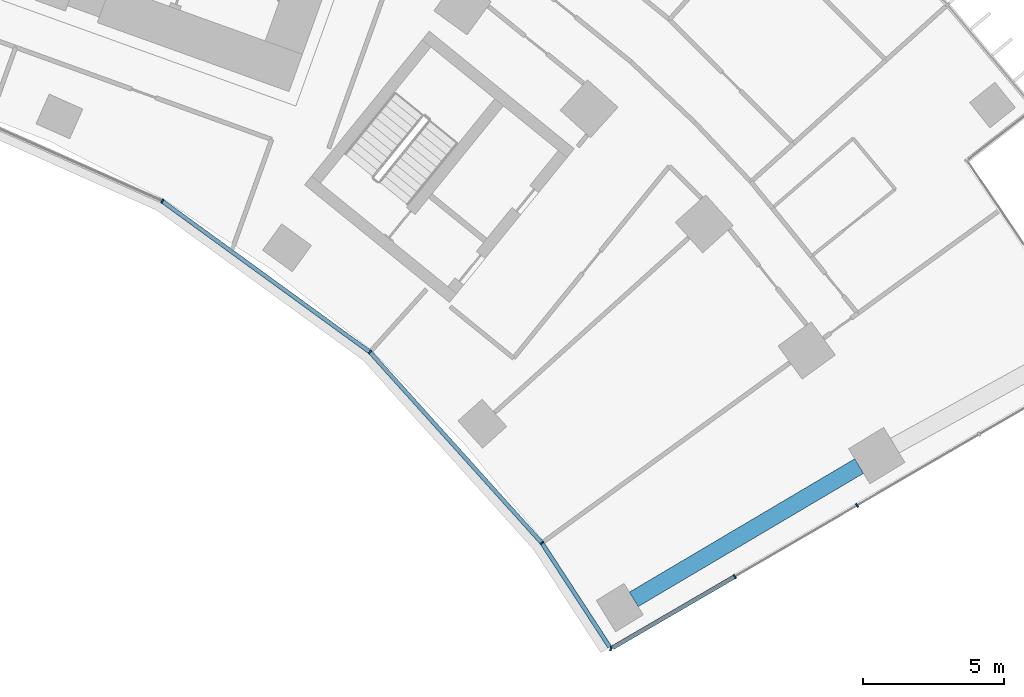
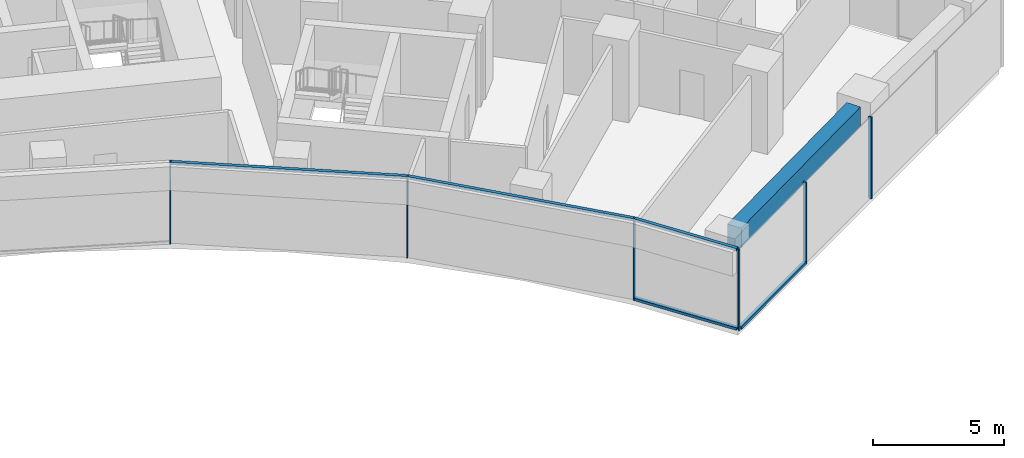
# One storey, part 8 of 22: 11 members, 1 beam, 2 elements without a shape of their own.
"""IFC4 building model written with IfcOpenShell, lengths in metres."""

from ifc_helpers import new_model, si_unit, direction, frame, origin, origin_2d, place, context, subcontext, project, spatial, rectangle, extrude, material, layer, layer_set, material_profile, profile_set, type_object, element, aggregate, save


model = new_model("IFC4")

# Units and contexts
model_context = context("Model", 3, precision=1e-05, world=origin(), true_north=direction((0.0, 1.0)))
body_context = subcontext(model_context, "Body", "Model", "MODEL_VIEW")
ifc_project = project(units=[si_unit("LENGTHUNIT", "METRE"), si_unit("AREAUNIT", "SQUARE_METRE"), si_unit("VOLUMEUNIT", "CUBIC_METRE"), si_unit("PLANEANGLEUNIT", "RADIAN"), si_unit("MASSUNIT", "GRAM", prefix="KILO")], contexts=[model_context])

# Site, building, storey
site_placement = place(None, origin())
site = spatial("IfcSite", under=ifc_project, at=site_placement, CompositionType="ELEMENT")
building_placement = place(site_placement, origin())
building = spatial("IfcBuilding", under=site, at=building_placement, Name="Stone Belt Terrace Tower", CompositionType="ELEMENT")
storey_placement = place(building_placement, frame((0.0, 0.0, 109.800048828125)))
storey = spatial("IfcBuildingStorey", under=building, at=storey_placement, Name="L26", CompositionType="ELEMENT", Elevation=109.800048828125)

# Curtain wall, members
ifc_material_1 = material(Name="Aluminium 6063-T6 anodised frame", Category="aluminium")
ifc_layer_1 = layer(ifc_material_1, 0.14990234375)
ifc_layer_set_1 = layer_set([ifc_layer_1], Name="CW-B unitised concave-face curtain wall")
curtain_wall_type_1 = type_object("IfcCurtainWallType", Name="CW-B unitised concave-face curtain wall", PredefinedType="NOTDEFINED", material=ifc_layer_set_1)
curtain_wall_1_placement = place(storey_placement, origin())
curtain_wall_1 = element("IfcCurtainWall", 1, at=curtain_wall_1_placement, inside=storey, type_object=curtain_wall_type_1, Name="CW-B concave face L26", PredefinedType="NOTDEFINED")
ifc_material_profile_1 = material_profile(ifc_material_1, rectangle(XDim=0.14990234375, YDim=0.050048828125, at=origin_2d()), Name="Aluminium 6063-T6 50x150")
ifc_profile_set_1 = profile_set([ifc_material_profile_1], Name="Aluminium 6063-T6 anodised frame")
member_type_1 = type_object("IfcMemberType", Name="CW-B mullion 50 x 150", PredefinedType="MULLION", material=ifc_profile_set_1)
member_1_placement = place(storey_placement, frame((21.71240234375, 37.606689453125, 0.0), z_axis=(0.0, 0.0, 1.0), x_axis=(0.5, 0.866025403784, 0.0)))
member_1 = element("IfcMember", 2, at=member_1_placement, type_object=member_type_1, Name="CW-B mullion 8", PredefinedType="MULLION", context=body_context, shape_type="SweptSolid", body=[
    extrude(rectangle(XDim=0.14990234375, YDim=0.050048828125, at=origin_2d()), origin(), (0.0, 0.0, 1.0), 3.800048828125),
])
member_2_placement = place(storey_placement, frame((29.056640625, 32.270751953125, 0.0), z_axis=(0.0, 0.0, 1.0), x_axis=(0.669130606359, 0.743144825477, 0.0)))
member_2 = element("IfcMember", 3, at=member_2_placement, type_object=member_type_1, Name="CW-B mullion 9", PredefinedType="MULLION", context=body_context, shape_type="SweptSolid", body=[
    extrude(rectangle(XDim=0.14990234375, YDim=0.050048828125, at=origin_2d()), origin(), (0.0, 0.0, 1.0), 3.800048828125),
])
member_3_placement = place(storey_placement, frame((35.132568359375, 25.522705078125, 0.0), z_axis=(0.0, 0.0, 1.0), x_axis=(0.792811047542, 0.609467507662, 0.0)))
member_3 = element("IfcMember", 4, at=member_3_placement, type_object=member_type_1, Name="CW-B mullion 10", PredefinedType="MULLION", context=body_context, shape_type="SweptSolid", body=[
    extrude(rectangle(XDim=0.14990234375, YDim=0.050048828125, at=origin_2d()), origin(), (0.0, 0.0, 1.0), 3.800048828125),
])
ifc_material_profile_2 = material_profile(ifc_material_1, rectangle(XDim=0.14990234375, YDim=0.1201171875, at=origin_2d()), Name="Aluminium 6063-T6 150x120")
ifc_profile_set_2 = profile_set([ifc_material_profile_2], Name="Aluminium 6063-T6 anodised frame")
member_type_2 = type_object("IfcMemberType", Name="CW-B transom 120 x 150", PredefinedType="USERDEFINED", material=ifc_profile_set_2)
member_4_placement = place(storey_placement, frame((21.73876953125, 37.587646484375, 3.739990234375), z_axis=(0.809015952818, -0.58778668587, 0.0), x_axis=(0.58778668587, 0.809015952818, 0.0)))
member_4 = element("IfcMember", 5, at=member_4_placement, type_object=member_type_2, Name="CW-B transom 8.1", ObjectType="TRANSOM", PredefinedType="USERDEFINED", context=body_context, shape_type="SweptSolid", body=[
    extrude(rectangle(XDim=0.14990234375, YDim=0.1201171875, at=origin_2d()), origin(), (0.0, 0.0, 1.0), 9.0126953125),
])
member_5_placement = place(storey_placement, frame((29.07861328125, 32.246337890625, 3.739990234375), z_axis=(0.669138241486, -0.743137950707, 0.0), x_axis=(0.743137950707, 0.669138241486, 0.0)))
member_5 = element("IfcMember", 6, at=member_5_placement, type_object=member_type_2, Name="CW-B transom 9.1", ObjectType="TRANSOM", PredefinedType="USERDEFINED", context=body_context, shape_type="SweptSolid", body=[
    extrude(rectangle(XDim=0.14990234375, YDim=0.1201171875, at=origin_2d()), origin(), (0.0, 0.0, 1.0), 9.016845703125),
])
member_6_placement = place(storey_placement, frame((35.1494140625, 25.4970703125, 0.06005859375), z_axis=(0.546136356084, -0.83769629375, 0.0), x_axis=(0.83769629375, 0.546136356084, 0.0)))
member_6 = element("IfcMember", 7, at=member_6_placement, type_object=member_type_2, Name="CW-B transom 10.1", ObjectType="TRANSOM", PredefinedType="USERDEFINED", context=body_context, shape_type="SweptSolid", body=[
    extrude(rectangle(XDim=0.14990234375, YDim=0.1201171875, at=origin_2d()), origin(), (0.0, 0.0, 1.0), 4.363525390625),
])
member_7_placement = place(storey_placement, frame((35.1494140625, 25.4970703125, 3.739990234375), z_axis=(0.546136356084, -0.83769629375, 0.0), x_axis=(0.83769629375, 0.546136356084, 0.0)))
member_7 = element("IfcMember", 8, at=member_7_placement, type_object=member_type_2, Name="CW-B transom 10.2", ObjectType="TRANSOM", PredefinedType="USERDEFINED", context=body_context, shape_type="SweptSolid", body=[
    extrude(rectangle(XDim=0.14990234375, YDim=0.1201171875, at=origin_2d()), origin(), (0.0, 0.0, 1.0), 4.363525390625),
])
aggregate(curtain_wall_1, [member_1, member_2, member_3, member_4, member_5, member_6, member_7])

ifc_layer_2 = layer(ifc_material_1, 0.14990234375)
ifc_layer_set_2 = layer_set([ifc_layer_2], Name="CW-C stick curtain wall, horn ends and notches")
curtain_wall_type_2 = type_object("IfcCurtainWallType", Name="CW-C stick curtain wall, horn ends and notches", PredefinedType="NOTDEFINED", material=ifc_layer_set_2)
curtain_wall_2_placement = place(storey_placement, origin())
curtain_wall_2 = element("IfcCurtainWall", 9, at=curtain_wall_2_placement, inside=storey, type_object=curtain_wall_type_2, Name="CW-C end face L26", PredefinedType="NOTDEFINED")
ifc_material_profile_3 = material_profile(ifc_material_1, rectangle(XDim=0.14990234375, YDim=0.06005859375, at=origin_2d()), Name="Aluminium 6063-T6 60x150")
ifc_profile_set_3 = profile_set([ifc_material_profile_3], Name="Aluminium 6063-T6 anodised frame")
member_type_3 = type_object("IfcMemberType", Name="CW-C mullion 60 x 150", PredefinedType="MULLION", material=ifc_profile_set_3)
member_8_placement = place(storey_placement, frame((37.570556640625, 21.783447265625, 0.0), z_axis=(0.0, 0.0, 1.0), x_axis=(0.230847440535, 0.972989958426, 0.0)))
member_8 = element("IfcMember", 10, at=member_8_placement, type_object=member_type_3, Name="CW-C mullion 1", PredefinedType="MULLION", context=body_context, shape_type="SweptSolid", body=[
    extrude(rectangle(XDim=0.14990234375, YDim=0.06005859375, at=origin_2d()), origin(), (0.0, 0.0, 1.0), 3.800048828125),
])
member_9_placement = place(storey_placement, frame((41.953369140625, 24.334716796875, 0.0), z_axis=(0.0, 0.0, 1.0), x_axis=(-0.503080901861, 0.864239322284, 0.0)))
member_9 = element("IfcMember", 11, at=member_9_placement, type_object=member_type_3, Name="CW-C mullion 2", PredefinedType="MULLION", context=body_context, shape_type="SweptSolid", body=[
    extrude(rectangle(XDim=0.14990234375, YDim=0.06005859375, at=origin_2d()), origin(), (0.0, 0.0, 1.0), 3.800048828125),
])
member_10_placement = place(storey_placement, frame((46.2744140625, 26.85009765625, 0.0), z_axis=(0.0, 0.0, 1.0), x_axis=(-0.503080901861, 0.864239322284, 0.0)))
member_10 = element("IfcMember", 12, at=member_10_placement, type_object=member_type_3, Name="CW-C mullion 3", PredefinedType="MULLION", context=body_context, shape_type="SweptSolid", body=[
    extrude(rectangle(XDim=0.14990234375, YDim=0.06005859375, at=origin_2d()), origin(), (0.0, 0.0, 1.0), 3.800048828125),
])
ifc_material_profile_4 = material_profile(ifc_material_1, rectangle(XDim=0.14990234375, YDim=0.1201171875, at=origin_2d()), Name="Aluminium 6063-T6 150x120")
ifc_profile_set_4 = profile_set([ifc_material_profile_4], Name="Aluminium 6063-T6 anodised frame")
member_type_4 = type_object("IfcMemberType", Name="CW-C transom 120 x 150", PredefinedType="USERDEFINED", material=ifc_profile_set_4)
member_11_placement = place(storey_placement, frame((37.634033203125, 21.8203125, 0.06005859375), z_axis=(0.864238402529, 0.5030824819, 0.0), x_axis=(-0.5030824819, 0.864238402529, 0.0)))
member_11 = element("IfcMember", 13, at=member_11_placement, type_object=member_type_4, Name="CW-C transom 1.1", ObjectType="TRANSOM", PredefinedType="USERDEFINED", context=body_context, shape_type="SweptSolid", body=[
    extrude(rectangle(XDim=0.14990234375, YDim=0.1201171875, at=origin_2d()), origin(), (0.0, 0.0, 1.0), 4.968017578125),
])
aggregate(curtain_wall_2, [member_8, member_9, member_10, member_11])

# Beam
ifc_material_2 = material(Name="Concrete B60", Category="concrete")
ifc_material_profile_5 = material_profile(ifc_material_2, rectangle(XDim=0.60009765625, YDim=0.89990234375, at=origin_2d()), Name="RC 600x900")
ifc_profile_set_5 = profile_set([ifc_material_profile_5], Name="Concrete B60")
beam_type = type_object("IfcBeamType", Name="Edge beam RC 600x900 B60", PredefinedType="SPANDREL", material=ifc_profile_set_5)
beam_placement = place(storey_placement, frame((38.3828125, 23.52783203125, 3.030029296875), z_axis=(0.860646513691, 0.509202885372, 0.0), x_axis=(-0.509202885372, 0.860646513691, 0.0)))
element("IfcBeam", 14, at=beam_placement, inside=storey, type_object=beam_type, Name="Edge beam L26 B P to Q", PredefinedType="SPANDREL", context=body_context, shape_type="SweptSolid", body=[
    extrude(rectangle(XDim=0.60009765625, YDim=0.89990234375, at=origin_2d()), origin(), (0.0, 0.0, 1.0), 9.255859375),
])

save(model, "model.ifc")
